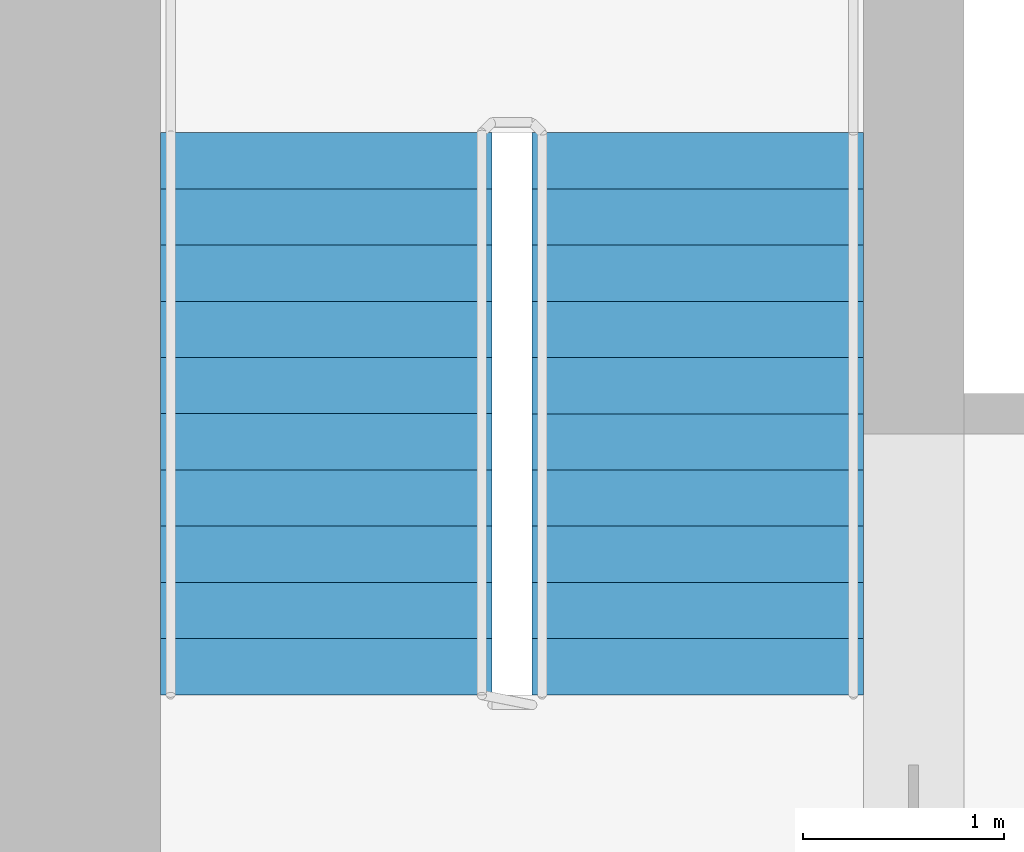
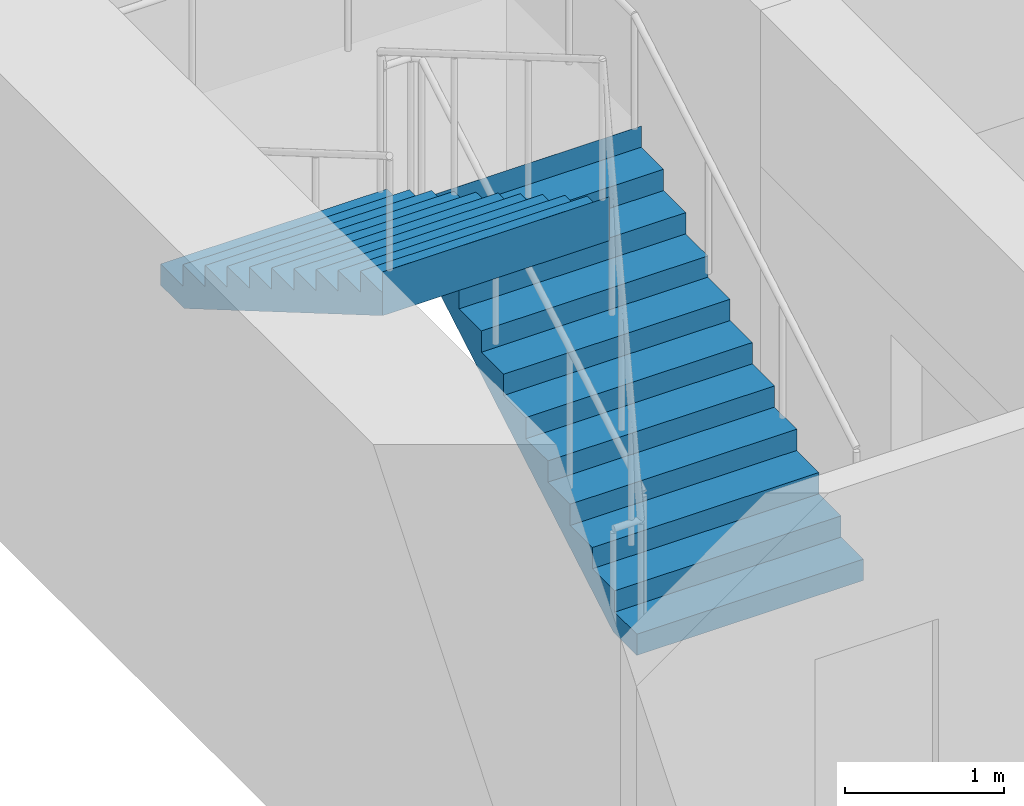
# One storey, part 14 of 15: 2 stair flights, 1 element without a shape of its own.
"""IFC4 building model written with IfcOpenShell, lengths in metres."""

from ifc_helpers import new_model, si_unit, direction, frame, origin, place, context, subcontext, project, spatial, polyline, outline, extrude, material, type_object, element, aggregate, save


model = new_model("IFC4")

# Units and contexts
model_context = context("Model", 3, precision=1e-05, world=origin(), true_north=direction((0.0, 1.0)))
body_context = subcontext(model_context, "Body", "Model", "MODEL_VIEW")
ifc_project = project(units=[si_unit("LENGTHUNIT", "METRE"), si_unit("AREAUNIT", "SQUARE_METRE"), si_unit("VOLUMEUNIT", "CUBIC_METRE"), si_unit("PLANEANGLEUNIT", "RADIAN"), si_unit("MASSUNIT", "GRAM", prefix="KILO")], contexts=[model_context])

# Site, building, storey
site_placement = place(None, origin())
site = spatial("IfcSite", under=ifc_project, at=site_placement, CompositionType="ELEMENT")
building_placement = place(site_placement, origin())
building = spatial("IfcBuilding", under=site, at=building_placement, Name="Tamorin Gate", CompositionType="ELEMENT")
storey_placement = place(building_placement, frame((0.0, 0.0, 82.699951171875)))
storey = spatial("IfcBuildingStorey", under=building, at=storey_placement, Name="L19", CompositionType="ELEMENT", Elevation=82.699951171875)

# Stair, stair flights
ifc_material = material(Name="Concrete C40/50", Category="concrete")
stair_type = type_object("IfcStairType", Name="Exit stair", PredefinedType="HALF_TURN_STAIR", material=ifc_material)
stair_placement = place(storey_placement, origin())
stair = element("IfcStair", 1, at=stair_placement, inside=storey, type_object=stair_type, Name="L19 stair ST2", PredefinedType="HALF_TURN_STAIR")
stair_flight_type = type_object("IfcStairFlightType", Name="Exit stair flight", PredefinedType="STRAIGHT", material=ifc_material)
stair_flight_1_placement = place(storey_placement, frame((33.675048828125, 77.0, 0.0), z_axis=(0.0, 0.0, 1.0), x_axis=(0.0, 1.0, 0.0)))
stair_flight_1 = element("IfcStairFlight", 2, at=stair_flight_1_placement, type_object=stair_flight_type, Name="ST2 flight 1", NumberOfRisers=11, NumberOfTreads=10, PredefinedType="STRAIGHT", RiserHeight=0.163636364, TreadLength=0.28, context=body_context, shape_type="SweptSolid", body=[
    extrude(outline(polyline([(-0.00048828125, 0.0), (-0.00048828125, 0.001708984375), (-0.00048828125, 0.003173828125), (-0.00048828125, 0.0048828125), (-0.00048828125, 0.006591796875), (-0.00048828125, 0.008056640625), (-0.00048828125, 0.009765625), (-0.00048828125, 0.01123046875), (-0.00048828125, 0.012939453125), (-0.00048828125, 0.0146484375), (-0.00048828125, 0.01611328125), (-0.00048828125, 0.017822265625), (-0.00048828125, 0.01953125), (-0.00048828125, 0.02099609375), (-0.00048828125, 0.022705078125), (-0.00048828125, 0.0244140625), (-0.00048828125, 0.02587890625), (-0.00048828125, 0.027587890625), (-0.00048828125, 0.029052734375), (-0.00048828125, 0.03076171875), (-0.00048828125, 0.032470703125), (-0.00048828125, 0.033935546875), (-0.00048828125, 0.03564453125), (-0.00048828125, 0.037353515625), (-0.00048828125, 0.038818359375), (-0.00048828125, 0.04052734375), (-0.00048828125, 0.042236328125), (-0.00048828125, 0.043701171875), (-0.00048828125, 0.04541015625), (-0.00048828125, 0.046875), (-0.00048828125, 0.048583984375), (-0.00048828125, 0.05029296875), (-0.00048828125, 0.0517578125), (-0.00048828125, 0.053466796875), (-0.00048828125, 0.05517578125), (-0.00048828125, 0.056640625), (-0.00048828125, 0.058349609375), (-0.00048828125, 0.06005859375), (-0.00048828125, 0.0615234375), (-0.00048828125, 0.063232421875), (-0.00048828125, 0.064697265625), (-0.00048828125, 0.06640625), (-0.00048828125, 0.068115234375), (-0.00048828125, 0.069580078125), (-0.00048828125, 0.0712890625), (-0.00048828125, 0.072998046875), (-0.00048828125, 0.074462890625), (-0.00048828125, 0.076171875), (-0.00048828125, 0.077880859375), (-0.00048828125, 0.079345703125), (-0.00048828125, 0.0810546875), (-0.00048828125, 0.08251953125), (-0.00048828125, 0.084228515625), (-0.00048828125, 0.0859375), (-0.00048828125, 0.08740234375), (-0.00048828125, 0.089111328125), (-0.00048828125, 0.0908203125), (-0.00048828125, 0.09228515625), (-0.00048828125, 0.093994140625), (-0.00048828125, 0.095703125), (-0.00048828125, 0.09716796875), (-0.00048828125, 0.098876953125), (-0.00048828125, 0.100341796875), (-0.00048828125, 0.10205078125), (-0.00048828125, 0.103759765625), (-0.00048828125, 0.105224609375), (-0.00048828125, 0.10693359375), (-0.00048828125, 0.108642578125), (-0.00048828125, 0.110107421875), (-0.00048828125, 0.11181640625), (-0.00048828125, 0.113525390625), (-0.00048828125, 0.114990234375), (-0.00048828125, 0.11669921875), (-0.00048828125, 0.1181640625), (-0.00048828125, 0.119873046875), (-0.00048828125, 0.12158203125), (-0.00048828125, 0.123046875), (-0.00048828125, 0.124755859375), (-0.00048828125, 0.12646484375), (-0.00048828125, 0.1279296875), (-0.00048828125, 0.129638671875), (-0.00048828125, 0.13134765625), (-0.00048828125, 0.1328125), (-0.00048828125, 0.134521484375), (-0.00048828125, 0.135986328125), (-0.00048828125, 0.1376953125), (-0.00048828125, 0.139404296875), (-0.00048828125, 0.140869140625), (-0.00048828125, 0.142578125), (-0.00048828125, 0.144287109375), (-0.00048828125, 0.145751953125), (-0.00048828125, 0.1474609375), (-0.00048828125, 0.149169921875), (-0.00048828125, 0.150634765625), (-0.00048828125, 0.15234375), (-0.00048828125, 0.15380859375), (-0.00048828125, 0.155517578125), (-0.00048828125, 0.1572265625), (-0.00048828125, 0.15869140625), (-0.00048828125, 0.160400390625), (-0.00048828125, 0.162109375), (-0.00048828125, 0.16357421875), (0.280029296875, 0.16357421875), (0.280029296875, 0.327392578125), (0.56005859375, 0.327392578125), (0.56005859375, 0.490966796875), (0.840087890625, 0.490966796875), (0.840087890625, 0.654541015625), (1.1201171875, 0.654541015625), (1.1201171875, 0.818115234375), (1.39990234375, 0.818115234375), (1.39990234375, 0.98193359375), (1.679931640625, 0.98193359375), (1.679931640625, 1.1455078125), (1.9599609375, 1.1455078125), (1.9599609375, 1.30908203125), (2.239990234375, 1.30908203125), (2.239990234375, 1.47265625), (2.52001953125, 1.47265625), (2.52001953125, 1.636474609375), (2.800048828125, 1.636474609375), (2.800048828125, 1.800048828125), (2.800537109375, 1.800048828125), (2.800537109375, 1.796630859375), (2.800537109375, 1.793212890625), (2.800537109375, 1.7900390625), (2.800537109375, 1.78662109375), (2.800537109375, 1.783203125), (2.800537109375, 1.780029296875), (2.800537109375, 1.776611328125), (2.800537109375, 1.773193359375), (2.800537109375, 1.77001953125), (2.800537109375, 1.7666015625), (2.800537109375, 1.76318359375), (2.800537109375, 1.760009765625), (2.800537109375, 1.756591796875), (2.800537109375, 1.753173828125), (2.800537109375, 1.75), (2.800537109375, 1.74658203125), (2.800537109375, 1.7431640625), (2.800537109375, 1.739990234375), (2.800537109375, 1.736572265625), (2.800537109375, 1.733154296875), (2.800537109375, 1.72998046875), (2.800537109375, 1.7265625), (2.800537109375, 1.72314453125), (2.800537109375, 1.719970703125), (2.800537109375, 1.716552734375), (2.800537109375, 1.713134765625), (2.800537109375, 1.7099609375), (2.800537109375, 1.70654296875), (2.800537109375, 1.703125), (2.800537109375, 1.69970703125), (2.800537109375, 1.696533203125), (2.800537109375, 1.693115234375), (2.800537109375, 1.689697265625), (2.800537109375, 1.6865234375), (2.800537109375, 1.68310546875), (2.800537109375, 1.6796875), (2.800537109375, 1.676513671875), (2.800537109375, 1.673095703125), (2.800537109375, 1.669677734375), (2.800537109375, 1.66650390625), (2.800537109375, 1.6630859375), (2.800537109375, 1.65966796875), (2.800537109375, 1.656494140625), (2.800537109375, 1.653076171875), (2.800537109375, 1.649658203125), (2.800537109375, 1.646484375), (2.800537109375, 1.64306640625), (2.800537109375, 1.6396484375), (2.800537109375, 1.636474609375), (2.800537109375, 1.633056640625), (2.800537109375, 1.629638671875), (2.800537109375, 1.62646484375), (2.800537109375, 1.623046875), (2.800537109375, 1.61962890625), (2.800537109375, 1.616455078125), (2.800537109375, 1.613037109375), (2.800537109375, 1.609619140625), (2.800537109375, 1.6064453125), (2.800537109375, 1.60302734375), (2.800537109375, 1.599609375), (2.800537109375, 1.59619140625), (2.800537109375, 1.593017578125), (2.800537109375, 1.589599609375), (2.800537109375, 1.586181640625), (2.800537109375, 1.5830078125), (2.800537109375, 1.57958984375), (2.800537109375, 1.576171875), (2.800537109375, 1.572998046875), (2.800537109375, 1.569580078125), (2.800537109375, 1.566162109375), (2.800537109375, 1.56298828125), (2.800537109375, 1.5595703125), (2.800537109375, 1.55615234375), (2.800537109375, 1.552978515625), (2.800537109375, 1.549560546875), (2.800537109375, 1.546142578125), (2.800537109375, 1.54296875), (2.800537109375, 1.53955078125), (2.800537109375, 1.5361328125), (2.800537109375, 1.532958984375), (2.800537109375, 1.529541015625), (2.800537109375, 1.526123046875), (2.800537109375, 1.52294921875), (2.800537109375, 1.51953125), (2.800537109375, 1.51611328125), (2.800537109375, 1.512939453125), (2.800537109375, 1.509521484375), (2.800537109375, 1.506103515625), (2.800537109375, 1.5029296875), (2.800537109375, 1.49951171875), (2.800537109375, 1.49609375), (2.800537109375, 1.49267578125), (2.800537109375, 1.489501953125), (2.800537109375, 1.486083984375), (2.800537109375, 1.482666015625), (2.800537109375, 1.4794921875), (2.800537109375, 1.47607421875), (2.800537109375, 1.47265625), (2.800537109375, 1.469482421875), (2.800537109375, 1.466064453125), (2.800537109375, 1.462646484375), (2.800048828125, 1.462646484375), (0.297119140625, 0.0), (-0.00048828125, 0.0)])), frame((0.0, 0.824951171875, 0.0), z_axis=(0.0, -1.0, 0.0), x_axis=(1.0, 0.0, 0.0)), (0.0, 0.0, 1.0), 1.64990234375),
])
stair_flight_2_placement = place(storey_placement, frame((31.824951171875, 79.800048828125, 1.800048828125), z_axis=(0.0, 0.0, 1.0), x_axis=(0.0, -1.0, 0.0)))
stair_flight_2 = element("IfcStairFlight", 3, at=stair_flight_2_placement, type_object=stair_flight_type, Name="ST2 flight 2", NumberOfRisers=11, NumberOfTreads=10, PredefinedType="STRAIGHT", RiserHeight=0.163636364, TreadLength=0.28, context=body_context, shape_type="SweptSolid", body=[
    extrude(outline(polyline([(-0.00048828125, 0.0), (-0.00048828125, 0.001708984375), (-0.00048828125, 0.003173828125), (-0.00048828125, 0.0048828125), (-0.00048828125, 0.006591796875), (-0.00048828125, 0.008056640625), (-0.00048828125, 0.009765625), (-0.00048828125, 0.01123046875), (-0.00048828125, 0.012939453125), (-0.00048828125, 0.0146484375), (-0.00048828125, 0.01611328125), (-0.00048828125, 0.017822265625), (-0.00048828125, 0.01953125), (-0.00048828125, 0.02099609375), (-0.00048828125, 0.022705078125), (-0.00048828125, 0.0244140625), (-0.00048828125, 0.02587890625), (-0.00048828125, 0.027587890625), (-0.00048828125, 0.029052734375), (-0.00048828125, 0.03076171875), (-0.00048828125, 0.032470703125), (-0.00048828125, 0.033935546875), (-0.00048828125, 0.03564453125), (-0.00048828125, 0.037353515625), (-0.00048828125, 0.038818359375), (-0.00048828125, 0.04052734375), (-0.00048828125, 0.042236328125), (-0.00048828125, 0.043701171875), (-0.00048828125, 0.04541015625), (-0.00048828125, 0.046875), (-0.00048828125, 0.048583984375), (-0.00048828125, 0.05029296875), (-0.00048828125, 0.0517578125), (-0.00048828125, 0.053466796875), (-0.00048828125, 0.05517578125), (-0.00048828125, 0.056640625), (-0.00048828125, 0.058349609375), (-0.00048828125, 0.06005859375), (-0.00048828125, 0.0615234375), (-0.00048828125, 0.063232421875), (-0.00048828125, 0.064697265625), (-0.00048828125, 0.06640625), (-0.00048828125, 0.068115234375), (-0.00048828125, 0.069580078125), (-0.00048828125, 0.0712890625), (-0.00048828125, 0.072998046875), (-0.00048828125, 0.074462890625), (-0.00048828125, 0.076171875), (-0.00048828125, 0.077880859375), (-0.00048828125, 0.079345703125), (-0.00048828125, 0.0810546875), (-0.00048828125, 0.08251953125), (-0.00048828125, 0.084228515625), (-0.00048828125, 0.0859375), (-0.00048828125, 0.08740234375), (-0.00048828125, 0.089111328125), (-0.00048828125, 0.0908203125), (-0.00048828125, 0.09228515625), (-0.00048828125, 0.093994140625), (-0.00048828125, 0.095703125), (-0.00048828125, 0.09716796875), (-0.00048828125, 0.098876953125), (-0.00048828125, 0.100341796875), (-0.00048828125, 0.10205078125), (-0.00048828125, 0.103759765625), (-0.00048828125, 0.105224609375), (-0.00048828125, 0.10693359375), (-0.00048828125, 0.108642578125), (-0.00048828125, 0.110107421875), (-0.00048828125, 0.11181640625), (-0.00048828125, 0.113525390625), (-0.00048828125, 0.114990234375), (-0.00048828125, 0.11669921875), (-0.00048828125, 0.1181640625), (-0.00048828125, 0.119873046875), (-0.00048828125, 0.12158203125), (-0.00048828125, 0.123046875), (-0.00048828125, 0.124755859375), (-0.00048828125, 0.12646484375), (-0.00048828125, 0.1279296875), (-0.00048828125, 0.129638671875), (-0.00048828125, 0.13134765625), (-0.00048828125, 0.1328125), (-0.00048828125, 0.134521484375), (-0.00048828125, 0.135986328125), (-0.00048828125, 0.1376953125), (-0.00048828125, 0.139404296875), (-0.00048828125, 0.140869140625), (-0.00048828125, 0.142578125), (-0.00048828125, 0.144287109375), (-0.00048828125, 0.145751953125), (-0.00048828125, 0.1474609375), (-0.00048828125, 0.149169921875), (-0.00048828125, 0.150634765625), (-0.00048828125, 0.15234375), (-0.00048828125, 0.15380859375), (-0.00048828125, 0.155517578125), (-0.00048828125, 0.1572265625), (-0.00048828125, 0.15869140625), (-0.00048828125, 0.160400390625), (-0.00048828125, 0.162109375), (-0.00048828125, 0.16357421875), (0.280029296875, 0.16357421875), (0.280029296875, 0.327392578125), (0.56005859375, 0.327392578125), (0.56005859375, 0.490966796875), (0.840087890625, 0.490966796875), (0.840087890625, 0.654541015625), (1.1201171875, 0.654541015625), (1.1201171875, 0.818115234375), (1.39990234375, 0.818115234375), (1.39990234375, 0.98193359375), (1.679931640625, 0.98193359375), (1.679931640625, 1.1455078125), (1.9599609375, 1.1455078125), (1.9599609375, 1.30908203125), (2.239990234375, 1.30908203125), (2.239990234375, 1.47265625), (2.52001953125, 1.47265625), (2.52001953125, 1.636474609375), (2.800048828125, 1.636474609375), (2.800048828125, 1.800048828125), (2.800537109375, 1.800048828125), (2.800537109375, 1.796630859375), (2.800537109375, 1.793212890625), (2.800537109375, 1.7900390625), (2.800537109375, 1.78662109375), (2.800537109375, 1.783203125), (2.800537109375, 1.780029296875), (2.800537109375, 1.776611328125), (2.800537109375, 1.773193359375), (2.800537109375, 1.77001953125), (2.800537109375, 1.7666015625), (2.800537109375, 1.76318359375), (2.800537109375, 1.760009765625), (2.800537109375, 1.756591796875), (2.800537109375, 1.753173828125), (2.800537109375, 1.75), (2.800537109375, 1.74658203125), (2.800537109375, 1.7431640625), (2.800537109375, 1.739990234375), (2.800537109375, 1.736572265625), (2.800537109375, 1.733154296875), (2.800537109375, 1.72998046875), (2.800537109375, 1.7265625), (2.800537109375, 1.72314453125), (2.800537109375, 1.719970703125), (2.800537109375, 1.716552734375), (2.800537109375, 1.713134765625), (2.800537109375, 1.7099609375), (2.800537109375, 1.70654296875), (2.800537109375, 1.703125), (2.800537109375, 1.69970703125), (2.800537109375, 1.696533203125), (2.800537109375, 1.693115234375), (2.800537109375, 1.689697265625), (2.800537109375, 1.6865234375), (2.800537109375, 1.68310546875), (2.800537109375, 1.6796875), (2.800537109375, 1.676513671875), (2.800537109375, 1.673095703125), (2.800537109375, 1.669677734375), (2.800537109375, 1.66650390625), (2.800537109375, 1.6630859375), (2.800537109375, 1.65966796875), (2.800537109375, 1.656494140625), (2.800537109375, 1.653076171875), (2.800537109375, 1.649658203125), (2.800537109375, 1.646484375), (2.800537109375, 1.64306640625), (2.800537109375, 1.6396484375), (2.800537109375, 1.636474609375), (2.800537109375, 1.633056640625), (2.800537109375, 1.629638671875), (2.800537109375, 1.62646484375), (2.800537109375, 1.623046875), (2.800537109375, 1.61962890625), (2.800537109375, 1.616455078125), (2.800537109375, 1.613037109375), (2.800537109375, 1.609619140625), (2.800537109375, 1.6064453125), (2.800537109375, 1.60302734375), (2.800537109375, 1.599609375), (2.800537109375, 1.59619140625), (2.800537109375, 1.593017578125), (2.800537109375, 1.589599609375), (2.800537109375, 1.586181640625), (2.800537109375, 1.5830078125), (2.800537109375, 1.57958984375), (2.800537109375, 1.576171875), (2.800537109375, 1.572998046875), (2.800537109375, 1.569580078125), (2.800537109375, 1.566162109375), (2.800537109375, 1.56298828125), (2.800537109375, 1.5595703125), (2.800537109375, 1.55615234375), (2.800537109375, 1.552978515625), (2.800537109375, 1.549560546875), (2.800537109375, 1.546142578125), (2.800537109375, 1.54296875), (2.800537109375, 1.53955078125), (2.800537109375, 1.5361328125), (2.800537109375, 1.532958984375), (2.800537109375, 1.529541015625), (2.800537109375, 1.526123046875), (2.800537109375, 1.52294921875), (2.800537109375, 1.51953125), (2.800537109375, 1.51611328125), (2.800537109375, 1.512939453125), (2.800537109375, 1.509521484375), (2.800537109375, 1.506103515625), (2.800537109375, 1.5029296875), (2.800537109375, 1.49951171875), (2.800537109375, 1.49609375), (2.800537109375, 1.49267578125), (2.800537109375, 1.489501953125), (2.800537109375, 1.486083984375), (2.800537109375, 1.482666015625), (2.800537109375, 1.4794921875), (2.800537109375, 1.47607421875), (2.800537109375, 1.47265625), (2.800537109375, 1.469482421875), (2.800537109375, 1.466064453125), (2.800537109375, 1.462646484375), (2.800048828125, 1.462646484375), (0.297119140625, 0.0), (-0.00048828125, 0.0)])), frame((0.0, 0.824951171875, 0.0), z_axis=(0.0, -1.0, 0.0), x_axis=(1.0, 0.0, 0.0)), (0.0, 0.0, 1.0), 1.64990234375),
])
aggregate(stair, [stair_flight_1, stair_flight_2])

save(model, "model.ifc")
